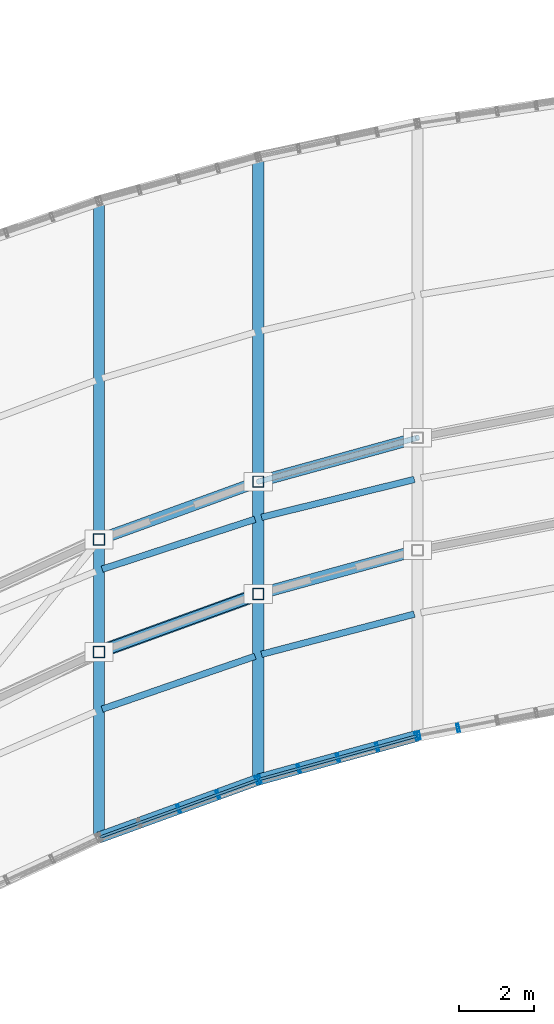
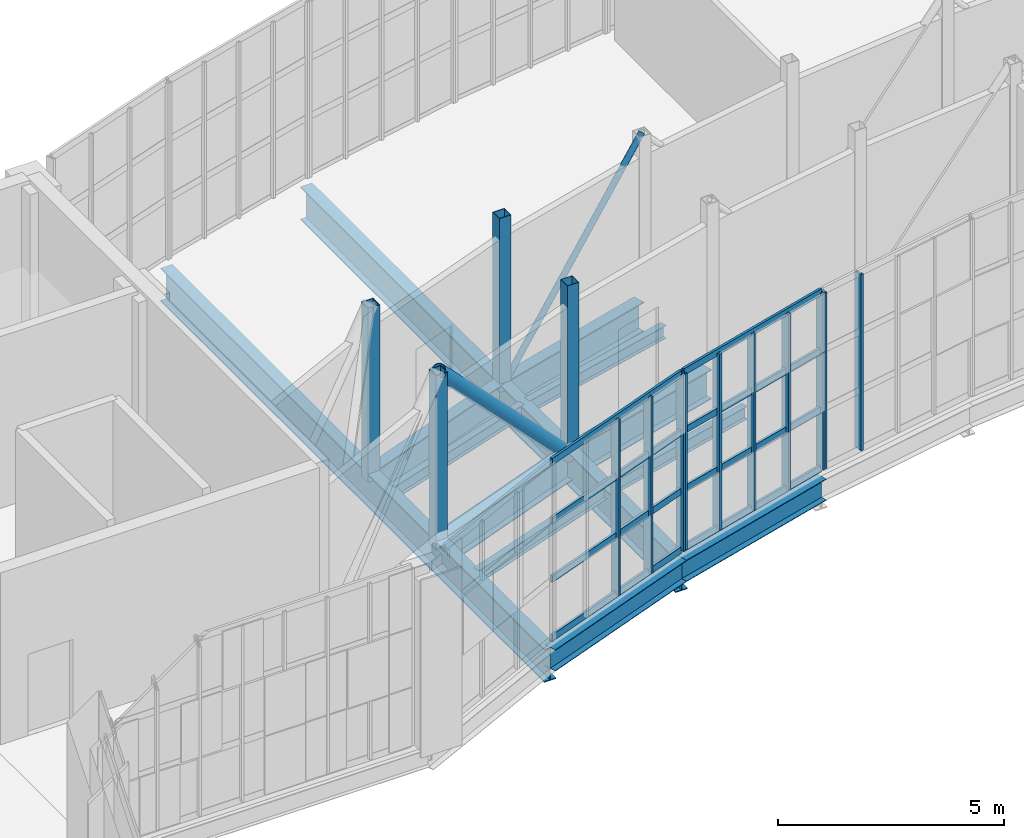
# One storey, part 18 of 66: 24 members, 12 beams, 3 elements without a shape of their own.
"""IFC4 building model written with IfcOpenShell, lengths in metres."""

from ifc_helpers import new_model, si_unit, direction, frame, origin, origin_2d, place, context, subcontext, project, spatial, hollow_rectangle, hollow_circle, i_section, extrude, material, material_profile, profile_set, type_object, element, aggregate, save


model = new_model("IFC4")

# Units and contexts
model_context = context("Model", 3, precision=1e-05, world=origin(), true_north=direction((0.0, 1.0)))
body_context = subcontext(model_context, "Body", "Model", "MODEL_VIEW")
ifc_project = project(units=[si_unit("LENGTHUNIT", "METRE"), si_unit("AREAUNIT", "SQUARE_METRE"), si_unit("VOLUMEUNIT", "CUBIC_METRE"), si_unit("PLANEANGLEUNIT", "RADIAN"), si_unit("MASSUNIT", "GRAM", prefix="KILO")], contexts=[model_context])

# Site, building, storey
site_placement = place(None, origin())
site = spatial("IfcSite", under=ifc_project, at=site_placement, CompositionType="ELEMENT")
building_placement = place(site_placement, origin())
building = spatial("IfcBuilding", under=site, at=building_placement, Name="Solvikara Media Centre", CompositionType="ELEMENT")
storey_placement = place(building_placement, frame((0.0, 0.0, 19.800048828125)))
storey = spatial("IfcBuildingStorey", under=building, at=storey_placement, Name="L04", CompositionType="ELEMENT", Elevation=19.800048828125)

# Beams
ifc_material_1 = material(Name="Steel S355JR", Category="steel")
ifc_material_profile_1 = material_profile(ifc_material_1, i_section(OverallWidth=0.300048828125, OverallDepth=0.89990234375, WebThickness=0.01611328125, FlangeThickness=0.028076171875, at=origin_2d()), Name="WF 900x300x16x28")
ifc_profile_set_1 = profile_set([ifc_material_profile_1], Name="Steel S355JR")
beam_type_1 = type_object("IfcBeamType", Name="BM-15", PredefinedType="BEAM", material=ifc_profile_set_1)
beam_1_placement = place(storey_placement, frame((80.75, 21.279052734375, -0.672119140625), z_axis=(0.0, 1.0, 0.0), x_axis=(-1.0, 0.0, 0.0)))
element("IfcBeam", 1, at=beam_1_placement, inside=storey, type_object=beam_type_1, Name="BG-L04-NS-01", PredefinedType="BEAM", context=body_context, shape_type="SweptSolid", body=[
    extrude(i_section(OverallWidth=0.300048828125, OverallDepth=0.89990234375, WebThickness=0.01611328125, FlangeThickness=0.028076171875, at=origin_2d()), origin(), (0.0, 0.0, 1.0), 16.98095703125),
])
beam_2_placement = place(storey_placement, frame((85.0, 22.823974609375, -0.672119140625), z_axis=(0.0, 1.0, 0.0), x_axis=(-1.0, 0.0, 0.0)))
element("IfcBeam", 2, at=beam_2_placement, inside=storey, type_object=beam_type_1, Name="BG-L04-NS-02", PredefinedType="BEAM", context=body_context, shape_type="SweptSolid", body=[
    extrude(i_section(OverallWidth=0.300048828125, OverallDepth=0.89990234375, WebThickness=0.01611328125, FlangeThickness=0.028076171875, at=origin_2d()), origin(), (0.0, 0.0, 1.0), 16.60693359375),
])
ifc_material_profile_2 = material_profile(ifc_material_1, i_section(OverallWidth=0.300048828125, OverallDepth=0.800048828125, WebThickness=0.013916015625, FlangeThickness=0.02587890625, at=origin_2d()), Name="WF 800x300x14x26")
ifc_profile_set_2 = profile_set([ifc_material_profile_2], Name="Steel S355JR")
beam_type_2 = type_object("IfcBeamType", Name="BM-16", PredefinedType="BEAM", material=ifc_profile_set_2)
for number, where, z_axis, x_axis, name in (
    (3, (80.8349609375, 26.260009765625, -0.6220703125), (0.939849238439, 0.341589532927, 0.0), (-0.341589532927, 0.939849238439, 0.0), "B-L04-SPNS-01"),
    (4, (80.8349609375, 29.260009765625, -0.6220703125), (0.939849238439, 0.341589532927, 0.0), (-0.341589532927, 0.939849238439, 0.0), "B-L04-SPNN-01"),
):
    element("IfcBeam", number, at=place(storey_placement, frame(where, z_axis=z_axis, x_axis=x_axis)), inside=storey, type_object=beam_type_2, Name=name, PredefinedType="BEAM", context=body_context, shape_type="SweptSolid", body=[
        extrude(i_section(OverallWidth=0.300048828125, OverallDepth=0.800048828125, WebThickness=0.013916015625, FlangeThickness=0.02587890625, at=origin_2d()), origin(), (0.0, 0.0, 1.0), 4.34130859375),
    ])
for number, where, z_axis, x_axis, name in (
    (5, (85.0869140625, 27.798095703125, -0.6220703125), (0.964019154447, 0.265832785522, 0.0), (-0.265832785522, 0.964019154447, 0.0), "B-L04-SPNS-02"),
    (6, (85.0869140625, 30.798095703125, -0.6220703125), (0.964019154447, 0.265832785522, 0.0), (-0.265832785522, 0.964019154447, 0.0), "B-L04-SPNN-02"),
):
    element("IfcBeam", number, at=place(storey_placement, frame(where, z_axis=z_axis, x_axis=x_axis)), inside=storey, type_object=beam_type_2, Name=name, PredefinedType="BEAM", context=body_context, shape_type="SweptSolid", body=[
        extrude(i_section(OverallWidth=0.300048828125, OverallDepth=0.800048828125, WebThickness=0.013916015625, FlangeThickness=0.02587890625, at=origin_2d()), origin(), (0.0, 0.0, 1.0), 4.228271484375),
    ])
ifc_material_profile_3 = material_profile(ifc_material_1, i_section(OverallWidth=0.175048828125, OverallDepth=0.35009765625, WebThickness=0.007080078125, FlangeThickness=0.010986328125, at=origin_2d()), Name="WF 350x175x7x11")
ifc_profile_set_3 = profile_set([ifc_material_profile_3], Name="Steel S355JR")
beam_type_3 = type_object("IfcBeamType", Name="BM-22", PredefinedType="JOIST", material=ifc_profile_set_3)
beam_3_placement = place(storey_placement, frame((80.8349609375, 24.7041015625, -0.39697265625), z_axis=(0.945019683137, 0.327013453063, 0.0), x_axis=(-0.327013453063, 0.945019683137, 0.0)))
element("IfcBeam", 7, at=beam_3_placement, inside=storey, type_object=beam_type_3, Name="BJ-L04-01-20", PredefinedType="JOIST", context=body_context, shape_type="SweptSolid", body=[
    extrude(i_section(OverallWidth=0.175048828125, OverallDepth=0.35009765625, WebThickness=0.007080078125, FlangeThickness=0.010986328125, at=origin_2d()), origin(), (0.0, 0.0, 1.0), 4.3173828125),
])
beam_4_placement = place(storey_placement, frame((80.8359375, 28.43896484375, -0.39697265625), z_axis=(0.950578037944, 0.310485738447, 0.0), x_axis=(-0.310485738447, 0.950578037944, 0.0)))
element("IfcBeam", 8, at=beam_4_placement, inside=storey, type_object=beam_type_3, Name="BJ-L04-01-42", PredefinedType="JOIST", context=body_context, shape_type="SweptSolid", body=[
    extrude(i_section(OverallWidth=0.175048828125, OverallDepth=0.35009765625, WebThickness=0.007080078125, FlangeThickness=0.010986328125, at=origin_2d()), origin(), (0.0, 0.0, 1.0), 4.2900390625),
])
beam_5_placement = place(storey_placement, frame((85.0869140625, 26.16796875, -0.39697265625), z_axis=(0.967112792727, 0.254347884096, 0.0), x_axis=(-0.254347884096, 0.967112792727, 0.0)))
element("IfcBeam", 9, at=beam_5_placement, inside=storey, type_object=beam_type_3, Name="BJ-L04-02-20", PredefinedType="JOIST", context=body_context, shape_type="SweptSolid", body=[
    extrude(i_section(OverallWidth=0.175048828125, OverallDepth=0.35009765625, WebThickness=0.007080078125, FlangeThickness=0.010986328125, at=origin_2d()), origin(), (0.0, 0.0, 1.0), 4.21484375),
])
beam_6_placement = place(storey_placement, frame((85.0869140625, 29.821044921875, -0.39697265625), z_axis=(0.970483457867, 0.241167696855, 0.0), x_axis=(-0.241167696855, 0.970483457867, 0.0)))
element("IfcBeam", 10, at=beam_6_placement, inside=storey, type_object=beam_type_3, Name="BJ-L04-02-42", PredefinedType="JOIST", context=body_context, shape_type="SweptSolid", body=[
    extrude(i_section(OverallWidth=0.175048828125, OverallDepth=0.35009765625, WebThickness=0.007080078125, FlangeThickness=0.010986328125, at=origin_2d()), origin(), (0.0, 0.0, 1.0), 4.2001953125),
])
ifc_material_profile_4 = material_profile(ifc_material_1, i_section(OverallWidth=0.300048828125, OverallDepth=0.58203125, WebThickness=0.011962890625, FlangeThickness=0.01708984375, at=origin_2d()), Name="WF 582x300x12x17")
ifc_profile_set_4 = profile_set([ifc_material_profile_4], Name="Steel S355JR")
beam_type_4 = type_object("IfcBeamType", Name="BM-31", PredefinedType="SPANDREL", material=ifc_profile_set_4)
beam_7_placement = place(storey_placement, frame((80.75, 21.279052734375, -0.512939453125), z_axis=(0.939831249065, 0.341639024821, 0.0), x_axis=(-0.341639024821, 0.939831249065, 0.0)))
element("IfcBeam", 11, at=beam_7_placement, inside=storey, type_object=beam_type_4, Name="B-L04-SARC-01", PredefinedType="SPANDREL", context=body_context, shape_type="SweptSolid", body=[
    extrude(i_section(OverallWidth=0.300048828125, OverallDepth=0.58203125, WebThickness=0.011962890625, FlangeThickness=0.01708984375, at=origin_2d()), origin(), (0.0, 0.0, 1.0), 4.52197265625),
])
beam_8_placement = place(storey_placement, frame((85.0, 22.823974609375, -0.512939453125), z_axis=(0.964009749544, 0.265866889221, 0.0), x_axis=(-0.265866889221, 0.964009749544, 0.0)))
element("IfcBeam", 12, at=beam_8_placement, inside=storey, type_object=beam_type_4, Name="B-L04-SARC-02", PredefinedType="SPANDREL", context=body_context, shape_type="SweptSolid", body=[
    extrude(i_section(OverallWidth=0.300048828125, OverallDepth=0.58203125, WebThickness=0.011962890625, FlangeThickness=0.01708984375, at=origin_2d()), origin(), (0.0, 0.0, 1.0), 4.40869140625),
])

# Members
ifc_material_profile_5 = material_profile(ifc_material_1, hollow_circle(Radius=0.177734375, WallThickness=0.012451171875, at=origin_2d()), Name="CHS 355.6x12.5")
ifc_profile_set_5 = profile_set([ifc_material_profile_5], Name="Steel S355JR")
member_type_1 = type_object("IfcMemberType", Name="MB-01", PredefinedType="CHORD", material=ifc_profile_set_5)
member_1_placement = place(storey_placement, frame((80.75, 26.22900390625, 4.25), z_axis=(0.651622673154, 0.236872028706, -0.720610528544), x_axis=(-0.341639024821, 0.939831249065, 0.0)))
element("IfcMember", 13, at=member_1_placement, inside=storey, type_object=member_type_1, Name="WTR-L04-S-DB01", PredefinedType="CHORD", context=body_context, shape_type="SweptSolid", body=[
    extrude(hollow_circle(Radius=0.177734375, WallThickness=0.012451171875, at=origin_2d()), origin(), (0.0, 0.0, 1.0), 6.522216796875),
])
ifc_material_profile_6 = material_profile(ifc_material_1, hollow_rectangle(XDim=0.300048828125, YDim=0.300048828125, WallThickness=0.012451171875, at=origin_2d()), Name="RHS 300x300x12.5")
ifc_profile_set_6 = profile_set([ifc_material_profile_6], Name="Steel S355JR")
member_type_2 = type_object("IfcMemberType", Name="MB-11", PredefinedType="CHORD", material=ifc_profile_set_6)
for number, where, z_axis, x_axis, name in (
    (14, (80.75, 26.22900390625, -0.449951171875), (0.0, 0.0, 1.0), (1.0, 0.0, 0.0), "WTR-L04-S-V01"),
    (15, (85.0, 27.77392578125, -0.449951171875), (0.0, 0.0, 1.0), (1.0, 0.0, 0.0), "WTR-L04-S-V02"),
    (16, (80.75, 29.22900390625, -0.449951171875), (0.0, 0.0, 1.0), (1.0, 0.0, 0.0), "WTR-L04-N-V01"),
    (17, (85.0, 30.77392578125, -0.449951171875), (0.0, 0.0, 1.0), (1.0, 0.0, 0.0), "WTR-L04-N-V02"),
):
    element("IfcMember", number, at=place(storey_placement, frame(where, z_axis=z_axis, x_axis=x_axis)), inside=storey, type_object=member_type_2, Name=name, PredefinedType="CHORD", context=body_context, shape_type="SweptSolid", body=[
        extrude(hollow_rectangle(XDim=0.300048828125, YDim=0.300048828125, WallThickness=0.012451171875, at=origin_2d()), origin(), (0.0, 0.0, 1.0), 4.699951171875),
    ])
ifc_material_profile_7 = material_profile(ifc_material_1, hollow_circle(Radius=0.076171875, WallThickness=0.00634765625, at=origin_2d()), Name="CHS 152.4x6.3")
ifc_profile_set_7 = profile_set([ifc_material_profile_7], Name="Steel S355JR")
member_type_3 = type_object("IfcMemberType", Name="MB-29", PredefinedType="BRACE", material=ifc_profile_set_7)
member_2_placement = place(storey_placement, frame((85.0, 30.77392578125, -0.449951171875), z_axis=(0.659522142118, 0.181891417986, 0.729346321112), x_axis=(-0.265866889221, 0.964009749544, 0.0)))
element("IfcMember", 18, at=member_2_placement, inside=storey, type_object=member_type_3, Name="WTR-L04-N-DA02", PredefinedType="BRACE", context=body_context, shape_type="SweptSolid", body=[
    extrude(hollow_circle(Radius=0.076171875, WallThickness=0.00634765625, at=origin_2d()), origin(), (0.0, 0.0, 1.0), 6.444091796875),
])

# Curtain wall, members
ifc_material_2 = material(Name="Anodised aluminium EN AW-6063", Category="aluminium")
curtain_wall_type = type_object("IfcCurtainWallType", Name="CW-01", PredefinedType="NOTDEFINED", material=ifc_material_2)
curtain_wall_1_placement = place(storey_placement, origin())
curtain_wall_1 = element("IfcCurtainWall", 19, at=curtain_wall_1_placement, inside=storey, type_object=curtain_wall_type, Name="CW-L04-SARC-01", PredefinedType="NOTDEFINED")
ifc_material_profile_8 = material_profile(ifc_material_2, hollow_rectangle(XDim=0.06494140625, YDim=0.219970703125, WallThickness=0.00390625, at=origin_2d()), Name="ALU-M 65x220x4")
ifc_profile_set_8 = profile_set([ifc_material_profile_8], Name="Anodised aluminium EN AW-6063")
member_type_4 = type_object("IfcMemberType", Name="MF-01", PredefinedType="MULLION", material=ifc_profile_set_8)
member_3_placement = place(storey_placement, frame((82.875, 22.052001953125, 0.02001953125), z_axis=(0.0, 0.0, 1.0), x_axis=(0.939823877818, 0.341659302058, 0.0)))
member_3 = element("IfcMember", 20, at=member_3_placement, type_object=member_type_4, Name="CW-L04-SARC-01-M02", PredefinedType="MULLION", context=body_context, shape_type="SweptSolid", body=[
    extrude(hollow_rectangle(XDim=0.06494140625, YDim=0.219970703125, WallThickness=0.00390625, at=origin_2d()), origin(), (0.0, 0.0, 1.0), 4.760009765625),
])
member_4_placement = place(storey_placement, frame((83.9208984375, 22.431884765625, 0.02001953125), z_axis=(0.0, 0.0, 1.0), x_axis=(0.939823877818, 0.341659302058, 0.0)))
member_4 = element("IfcMember", 21, at=member_4_placement, type_object=member_type_4, Name="CW-L04-SARC-01-M03", PredefinedType="MULLION", context=body_context, shape_type="SweptSolid", body=[
    extrude(hollow_rectangle(XDim=0.06494140625, YDim=0.219970703125, WallThickness=0.00390625, at=origin_2d()), origin(), (0.0, 0.0, 1.0), 4.760009765625),
])
member_5_placement = place(storey_placement, frame((84.967041015625, 22.81201171875, 0.02001953125), z_axis=(0.0, 0.0, 1.0), x_axis=(0.939823877818, 0.341659302058, 0.0)))
member_5 = element("IfcMember", 22, at=member_5_placement, type_object=member_type_4, Name="CW-L04-SARC-01-M04", PredefinedType="MULLION", context=body_context, shape_type="SweptSolid", body=[
    extrude(hollow_rectangle(XDim=0.06494140625, YDim=0.219970703125, WallThickness=0.00390625, at=origin_2d()), origin(), (0.0, 0.0, 1.0), 4.760009765625),
])

curtain_wall_2_placement = place(storey_placement, origin())
curtain_wall_2 = element("IfcCurtainWall", 23, at=curtain_wall_2_placement, inside=storey, type_object=curtain_wall_type, Name="CW-L04-SARC-02", PredefinedType="NOTDEFINED")
member_6_placement = place(storey_placement, frame((85.033935546875, 22.8330078125, 0.02001953125), z_axis=(0.0, 0.0, 1.0), x_axis=(0.96397015682, 0.26601040724, 0.0)))
member_6 = element("IfcMember", 24, at=member_6_placement, type_object=member_type_4, Name="CW-L04-SARC-02-M00", PredefinedType="MULLION", context=body_context, shape_type="SweptSolid", body=[
    extrude(hollow_rectangle(XDim=0.06494140625, YDim=0.219970703125, WallThickness=0.00390625, at=origin_2d()), origin(), (0.0, 0.0, 1.0), 4.760009765625),
])
member_7_placement = place(storey_placement, frame((86.080078125, 23.1220703125, 0.02001953125), z_axis=(0.0, 0.0, 1.0), x_axis=(0.96397015682, 0.26601040724, 0.0)))
member_7 = element("IfcMember", 25, at=member_7_placement, type_object=member_type_4, Name="CW-L04-SARC-02-M01", PredefinedType="MULLION", context=body_context, shape_type="SweptSolid", body=[
    extrude(hollow_rectangle(XDim=0.06494140625, YDim=0.219970703125, WallThickness=0.00390625, at=origin_2d()), origin(), (0.0, 0.0, 1.0), 4.760009765625),
])
member_8_placement = place(storey_placement, frame((87.125, 23.409912109375, 0.02001953125), z_axis=(0.0, 0.0, 1.0), x_axis=(0.96397015682, 0.26601040724, 0.0)))
member_8 = element("IfcMember", 26, at=member_8_placement, type_object=member_type_4, Name="CW-L04-SARC-02-M02", PredefinedType="MULLION", context=body_context, shape_type="SweptSolid", body=[
    extrude(hollow_rectangle(XDim=0.06494140625, YDim=0.219970703125, WallThickness=0.00390625, at=origin_2d()), origin(), (0.0, 0.0, 1.0), 4.760009765625),
])
member_9_placement = place(storey_placement, frame((88.1708984375, 23.698974609375, 0.02001953125), z_axis=(0.0, 0.0, 1.0), x_axis=(0.96397015682, 0.26601040724, 0.0)))
member_9 = element("IfcMember", 27, at=member_9_placement, type_object=member_type_4, Name="CW-L04-SARC-02-M03", PredefinedType="MULLION", context=body_context, shape_type="SweptSolid", body=[
    extrude(hollow_rectangle(XDim=0.06494140625, YDim=0.219970703125, WallThickness=0.00390625, at=origin_2d()), origin(), (0.0, 0.0, 1.0), 4.760009765625),
])
member_10_placement = place(storey_placement, frame((89.216064453125, 23.987060546875, 0.02001953125), z_axis=(0.0, 0.0, 1.0), x_axis=(0.96397015682, 0.26601040724, 0.0)))
member_10 = element("IfcMember", 28, at=member_10_placement, type_object=member_type_4, Name="CW-L04-SARC-02-M04", PredefinedType="MULLION", context=body_context, shape_type="SweptSolid", body=[
    extrude(hollow_rectangle(XDim=0.06494140625, YDim=0.219970703125, WallThickness=0.00390625, at=origin_2d()), origin(), (0.0, 0.0, 1.0), 4.760009765625),
])

curtain_wall_3_placement = place(storey_placement, origin())
curtain_wall_3 = element("IfcCurtainWall", 29, at=curtain_wall_3_placement, inside=storey, type_object=curtain_wall_type, Name="CW-L04-SARC-03", PredefinedType="NOTDEFINED")
member_11_placement = place(storey_placement, frame((89.283935546875, 24.0029296875, 0.02001953125), z_axis=(0.0, 0.0, 1.0), x_axis=(0.981843017659, 0.189695252114, 0.0)))
member_11 = element("IfcMember", 30, at=member_11_placement, type_object=member_type_4, Name="CW-L04-SARC-03-M00", PredefinedType="MULLION", context=body_context, shape_type="SweptSolid", body=[
    extrude(hollow_rectangle(XDim=0.06494140625, YDim=0.219970703125, WallThickness=0.00390625, at=origin_2d()), origin(), (0.0, 0.0, 1.0), 4.760009765625),
])
member_12_placement = place(storey_placement, frame((90.330078125, 24.205078125, 0.02001953125), z_axis=(0.0, 0.0, 1.0), x_axis=(0.981843017659, 0.189695252114, 0.0)))
member_12 = element("IfcMember", 31, at=member_12_placement, type_object=member_type_4, Name="CW-L04-SARC-03-M01", PredefinedType="MULLION", context=body_context, shape_type="SweptSolid", body=[
    extrude(hollow_rectangle(XDim=0.06494140625, YDim=0.219970703125, WallThickness=0.00390625, at=origin_2d()), origin(), (0.0, 0.0, 1.0), 4.760009765625),
])
aggregate(curtain_wall_3, [member_11, member_12])

# Member
ifc_material_profile_9 = material_profile(ifc_material_2, hollow_rectangle(XDim=0.06494140625, YDim=0.179931640625, WallThickness=0.00341796875, at=origin_2d()), Name="ALU-T 65x180x3.5")
ifc_profile_set_9 = profile_set([ifc_material_profile_9], Name="Anodised aluminium EN AW-6063")
member_type_5 = type_object("IfcMemberType", Name="MF-07", PredefinedType="USERDEFINED", material=ifc_profile_set_9)
member_13_placement = place(storey_placement, frame((80.782958984375, 21.291015625, 0.02001953125), z_axis=(0.939828643467, 0.341646192601, 0.0), x_axis=(-0.341646192601, 0.939828643467, 0.0)))
member_13 = element("IfcMember", 32, at=member_13_placement, type_object=member_type_5, Name="CW-L04-SARC-01-T00", ObjectType="TRANSOM", PredefinedType="USERDEFINED", context=body_context, shape_type="SweptSolid", body=[
    extrude(hollow_rectangle(XDim=0.06494140625, YDim=0.179931640625, WallThickness=0.00341796875, at=origin_2d()), origin(), (0.0, 0.0, 1.0), 4.451904296875),
])

member_14_placement = place(storey_placement, frame((80.782958984375, 21.291015625, 1.60693359375), z_axis=(0.939828643467, 0.341646192601, 0.0), x_axis=(-0.341646192601, 0.939828643467, 0.0)))
member_14 = element("IfcMember", 33, at=member_14_placement, type_object=member_type_5, Name="CW-L04-SARC-01-T01", ObjectType="TRANSOM", PredefinedType="USERDEFINED", context=body_context, shape_type="SweptSolid", body=[
    extrude(hollow_rectangle(XDim=0.06494140625, YDim=0.179931640625, WallThickness=0.00341796875, at=origin_2d()), origin(), (0.0, 0.0, 1.0), 4.451904296875),
])

member_15_placement = place(storey_placement, frame((80.782958984375, 21.291015625, 3.19287109375), z_axis=(0.939828643467, 0.341646192601, 0.0), x_axis=(-0.341646192601, 0.939828643467, 0.0)))
member_15 = element("IfcMember", 34, at=member_15_placement, type_object=member_type_5, Name="CW-L04-SARC-01-T02", ObjectType="TRANSOM", PredefinedType="USERDEFINED", context=body_context, shape_type="SweptSolid", body=[
    extrude(hollow_rectangle(XDim=0.06494140625, YDim=0.179931640625, WallThickness=0.00341796875, at=origin_2d()), origin(), (0.0, 0.0, 1.0), 4.451904296875),
])

member_16_placement = place(storey_placement, frame((80.782958984375, 21.291015625, 4.780029296875), z_axis=(0.939828643467, 0.341646192601, 0.0), x_axis=(-0.341646192601, 0.939828643467, 0.0)))
member_16 = element("IfcMember", 35, at=member_16_placement, type_object=member_type_5, Name="CW-L04-SARC-01-T03", ObjectType="TRANSOM", PredefinedType="USERDEFINED", context=body_context, shape_type="SweptSolid", body=[
    extrude(hollow_rectangle(XDim=0.06494140625, YDim=0.179931640625, WallThickness=0.00341796875, at=origin_2d()), origin(), (0.0, 0.0, 1.0), 4.451904296875),
])

aggregate(curtain_wall_1, [member_3, member_4, member_5, member_13, member_14, member_15, member_16])

member_17_placement = place(storey_placement, frame((85.033935546875, 22.8330078125, 0.02001953125), z_axis=(0.963971224803, 0.266006537049, 0.0), x_axis=(-0.266006537049, 0.963971224803, 0.0)))
member_17 = element("IfcMember", 36, at=member_17_placement, type_object=member_type_5, Name="CW-L04-SARC-02-T00", ObjectType="TRANSOM", PredefinedType="USERDEFINED", context=body_context, shape_type="SweptSolid", body=[
    extrude(hollow_rectangle(XDim=0.06494140625, YDim=0.179931640625, WallThickness=0.00341796875, at=origin_2d()), origin(), (0.0, 0.0, 1.0), 4.33837890625),
])

member_18_placement = place(storey_placement, frame((85.033935546875, 22.8330078125, 1.60693359375), z_axis=(0.963971224803, 0.266006537049, 0.0), x_axis=(-0.266006537049, 0.963971224803, 0.0)))
member_18 = element("IfcMember", 37, at=member_18_placement, type_object=member_type_5, Name="CW-L04-SARC-02-T01", ObjectType="TRANSOM", PredefinedType="USERDEFINED", context=body_context, shape_type="SweptSolid", body=[
    extrude(hollow_rectangle(XDim=0.06494140625, YDim=0.179931640625, WallThickness=0.00341796875, at=origin_2d()), origin(), (0.0, 0.0, 1.0), 4.33837890625),
])

member_19_placement = place(storey_placement, frame((85.033935546875, 22.8330078125, 3.19287109375), z_axis=(0.963971224803, 0.266006537049, 0.0), x_axis=(-0.266006537049, 0.963971224803, 0.0)))
member_19 = element("IfcMember", 38, at=member_19_placement, type_object=member_type_5, Name="CW-L04-SARC-02-T02", ObjectType="TRANSOM", PredefinedType="USERDEFINED", context=body_context, shape_type="SweptSolid", body=[
    extrude(hollow_rectangle(XDim=0.06494140625, YDim=0.179931640625, WallThickness=0.00341796875, at=origin_2d()), origin(), (0.0, 0.0, 1.0), 4.33837890625),
])

member_20_placement = place(storey_placement, frame((85.033935546875, 22.8330078125, 4.780029296875), z_axis=(0.963971224803, 0.266006537049, 0.0), x_axis=(-0.266006537049, 0.963971224803, 0.0)))
member_20 = element("IfcMember", 39, at=member_20_placement, type_object=member_type_5, Name="CW-L04-SARC-02-T03", ObjectType="TRANSOM", PredefinedType="USERDEFINED", context=body_context, shape_type="SweptSolid", body=[
    extrude(hollow_rectangle(XDim=0.06494140625, YDim=0.179931640625, WallThickness=0.00341796875, at=origin_2d()), origin(), (0.0, 0.0, 1.0), 4.33837890625),
])

aggregate(curtain_wall_2, [member_6, member_7, member_8, member_9, member_10, member_17, member_18, member_19, member_20])

save(model, "model.ifc")
